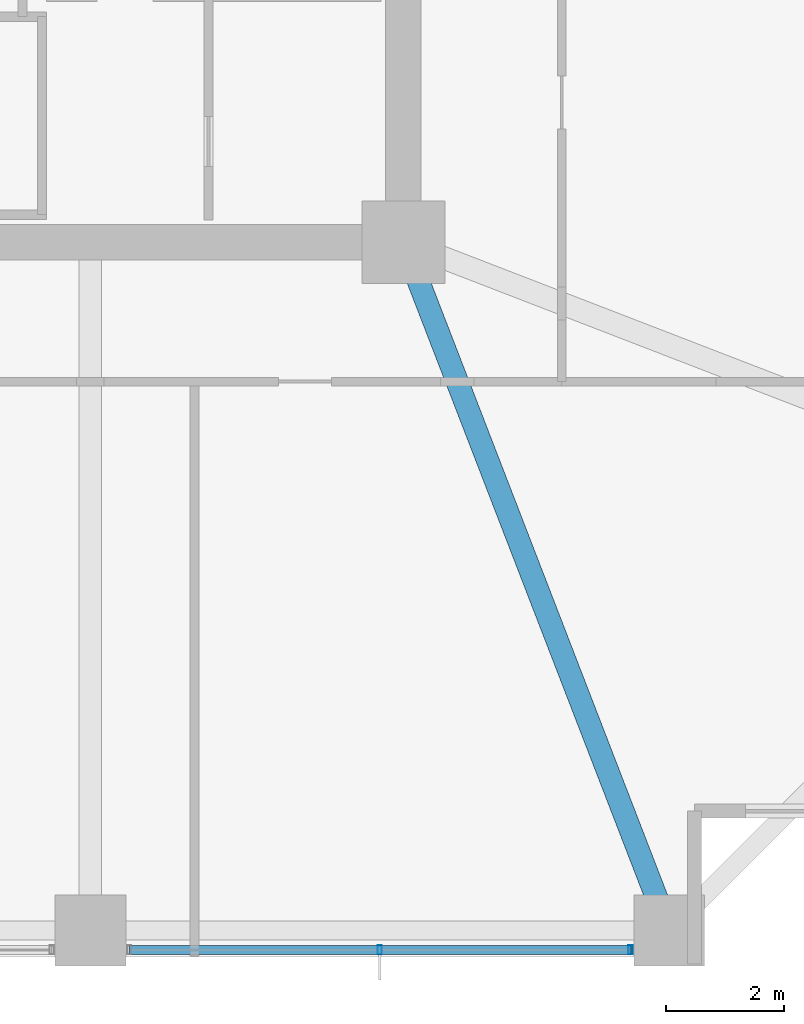
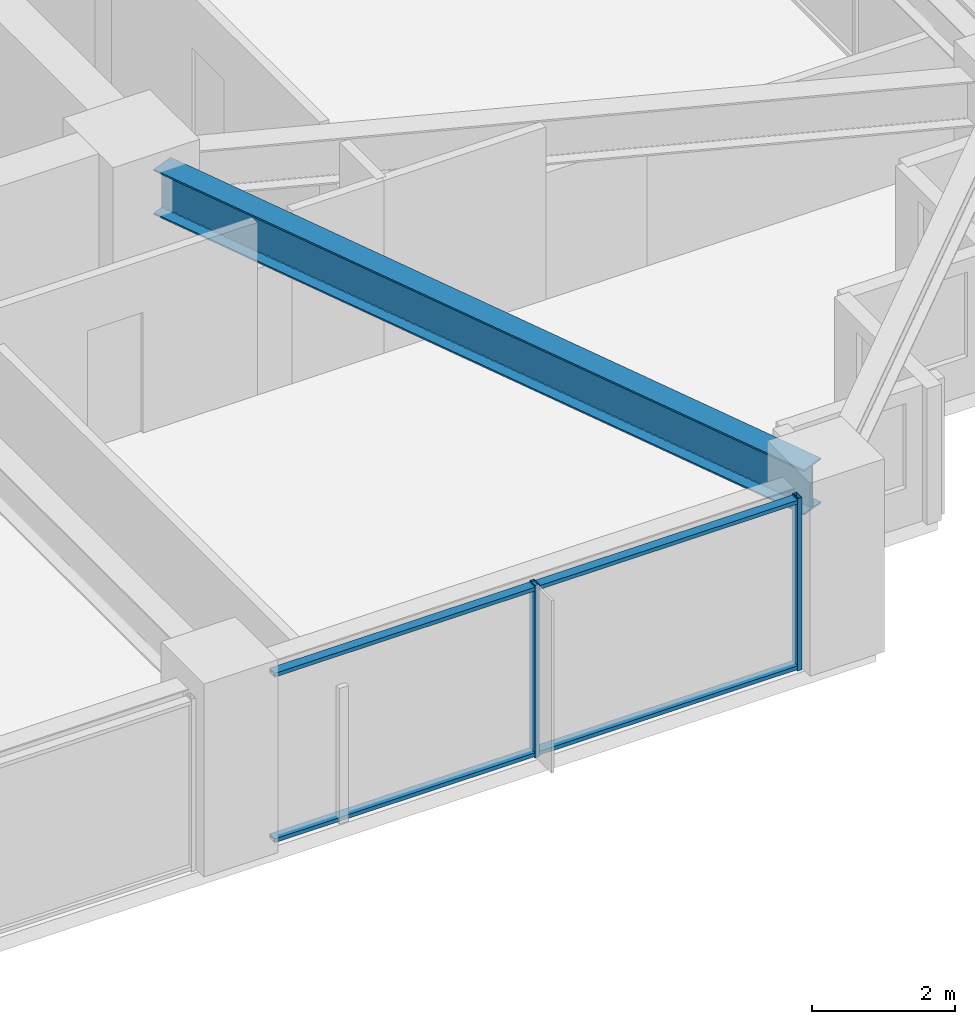
# One storey, part 11 of 38: 4 members, 1 beam, 1 element without a shape of its own.
"""IFC4 building model written with IfcOpenShell, lengths in metres."""

from ifc_helpers import new_model, si_unit, direction, frame, origin, origin_2d, place, context, subcontext, project, spatial, hollow_rectangle, i_section, extrude, material, material_profile, profile_set, type_object, element, aggregate, save


model = new_model("IFC4")

# Units and contexts
model_context = context("Model", 3, precision=1e-05, world=origin(), true_north=direction((0.0, 1.0)))
body_context = subcontext(model_context, "Body", "Model", "MODEL_VIEW")
ifc_project = project(units=[si_unit("LENGTHUNIT", "METRE"), si_unit("AREAUNIT", "SQUARE_METRE"), si_unit("VOLUMEUNIT", "CUBIC_METRE"), si_unit("PLANEANGLEUNIT", "RADIAN"), si_unit("MASSUNIT", "GRAM", prefix="KILO")], contexts=[model_context])

# Site, building, storey
site_placement = place(None, origin())
site = spatial("IfcSite", under=ifc_project, at=site_placement, CompositionType="ELEMENT")
building_placement = place(site_placement, origin())
building = spatial("IfcBuilding", under=site, at=building_placement, Name="Kolvaren Belvedere", CompositionType="ELEMENT")
storey_placement = place(building_placement, frame((0.0, 0.0, 60.10009765625)))
storey = spatial("IfcBuildingStorey", under=building, at=storey_placement, Name="L17", CompositionType="ELEMENT", Elevation=60.10009765625)

# Beam
ifc_material_1 = material(Name="Structural steel ASTM A992 Grade 50", Category="steel")
ifc_material_profile_1 = material_profile(ifc_material_1, i_section(OverallWidth=0.381103515625, OverallDepth=0.77294921875, WebThickness=0.0166015625, FlangeThickness=0.027099609375, FilletRadius=0.02392578125, at=origin_2d()), Name="W30X173")
ifc_profile_set_1 = profile_set([ifc_material_profile_1], Name="Structural steel ASTM A992 Grade 50")
beam_type = type_object("IfcBeamType", Name="BM-GIRD-W30X173", PredefinedType="BEAM", material=ifc_profile_set_1)
beam_placement = place(storey_placement, frame((10.09814453125, -10.4130859375, 2.5634765625), z_axis=(0.360318391835, -0.932829382313, 0.0), x_axis=(0.932829382313, 0.360318391835, 0.0)))
element("IfcBeam", 1, at=beam_placement, inside=storey, type_object=beam_type, Name="L17 Corner Core-to-Perimeter Girder CC2-S4", PredefinedType="BEAM", context=body_context, shape_type="SweptSolid", body=[
    extrude(i_section(OverallWidth=0.381103515625, OverallDepth=0.77294921875, WebThickness=0.0166015625, FlangeThickness=0.027099609375, FilletRadius=0.02392578125, at=origin_2d()), origin(), (0.0, 0.0, 1.0), 11.698974609375),
])

# Curtain wall, members
ifc_material_2 = material(Name="Anodised pale-metal aluminium AA 6063-T6", Category="aluminium")
curtain_wall_type = type_object("IfcCurtainWallType", Name="CW-Z1-LOW", PredefinedType="NOTDEFINED", material=ifc_material_2)
curtain_wall_placement = place(storey_placement, origin())
curtain_wall = element("IfcCurtainWall", 2, at=curtain_wall_placement, inside=storey, type_object=curtain_wall_type, Name="L17 Unitised Curtain Wall FCW-L17-S-B1", PredefinedType="NOTDEFINED")
ifc_material_3 = material(Name="Anodised pale-metal aluminium AA 6063-T6", Category="aluminium")
ifc_material_profile_2 = material_profile(ifc_material_3, hollow_rectangle(XDim=0.070068359375, YDim=0.14990234375, WallThickness=0.004150390625, at=origin_2d()), Name="ALU-MUL-150X70")
ifc_profile_set_2 = profile_set([ifc_material_profile_2], Name="Anodised pale-metal aluminium AA 6063-T6")
member_type_1 = type_object("IfcMemberType", Name="CW-MUL-150", PredefinedType="MULLION", material=ifc_profile_set_2)
member_1_placement = place(storey_placement, frame((13.7451171875, -21.8798828125, 0.0), z_axis=(0.0, 0.0, 1.0), x_axis=(1.0, 0.0, 0.0)))
member_1 = element("IfcMember", 3, at=member_1_placement, type_object=member_type_1, Name="FCW-L17-S-B1 Unitised Mullion 1", PredefinedType="MULLION", context=body_context, shape_type="SweptSolid", body=[
    extrude(hollow_rectangle(XDim=0.070068359375, YDim=0.14990234375, WallThickness=0.004150390625, at=origin_2d()), origin(), (0.0, 0.0, 1.0), 2.949951171875),
])
member_2_placement = place(storey_placement, frame((9.5, -21.8798828125, 0.0), z_axis=(0.0, 0.0, 1.0), x_axis=(1.0, 0.0, 0.0)))
member_2 = element("IfcMember", 4, at=member_2_placement, type_object=member_type_1, Name="FCW-L17-S-B1 Unitised Mullion 2", PredefinedType="MULLION", context=body_context, shape_type="SweptSolid", body=[
    extrude(hollow_rectangle(XDim=0.070068359375, YDim=0.14990234375, WallThickness=0.004150390625, at=origin_2d()), origin(), (0.0, 0.0, 1.0), 2.949951171875),
])
ifc_material_4 = material(Name="Anodised pale-metal aluminium AA 6063-T6", Category="aluminium")
ifc_material_profile_3 = material_profile(ifc_material_4, hollow_rectangle(XDim=0.06494140625, YDim=0.14990234375, WallThickness=0.00390625, at=origin_2d()), Name="ALU-TRN-150X65")
ifc_profile_set_3 = profile_set([ifc_material_profile_3], Name="Anodised pale-metal aluminium AA 6063-T6")
member_type_2 = type_object("IfcMemberType", Name="CW-TRN-150", PredefinedType="USERDEFINED", material=ifc_profile_set_3)
member_3_placement = place(storey_placement, frame((13.7451171875, -21.8798828125, 0.059814453125), z_axis=(-1.0, 0.0, 0.0), x_axis=(0.0, 0.0, 1.0)))
member_3 = element("IfcMember", 5, at=member_3_placement, type_object=member_type_2, Name="FCW-L17-S-B1 Sill Transom", ObjectType="TRANSOM", PredefinedType="USERDEFINED", context=body_context, shape_type="SweptSolid", body=[
    extrude(hollow_rectangle(XDim=0.06494140625, YDim=0.14990234375, WallThickness=0.00390625, at=origin_2d()), origin(), (0.0, 0.0, 1.0), 8.490234375),
])
member_4_placement = place(storey_placement, frame((13.7451171875, -21.8798828125, 2.889892578125), z_axis=(-1.0, 0.0, 0.0), x_axis=(0.0, 0.0, 1.0)))
member_4 = element("IfcMember", 6, at=member_4_placement, type_object=member_type_2, Name="FCW-L17-S-B1 Head Transom", ObjectType="TRANSOM", PredefinedType="USERDEFINED", context=body_context, shape_type="SweptSolid", body=[
    extrude(hollow_rectangle(XDim=0.06494140625, YDim=0.14990234375, WallThickness=0.00390625, at=origin_2d()), origin(), (0.0, 0.0, 1.0), 8.490234375),
])
aggregate(curtain_wall, [member_1, member_2, member_3, member_4])

save(model, "model.ifc")
